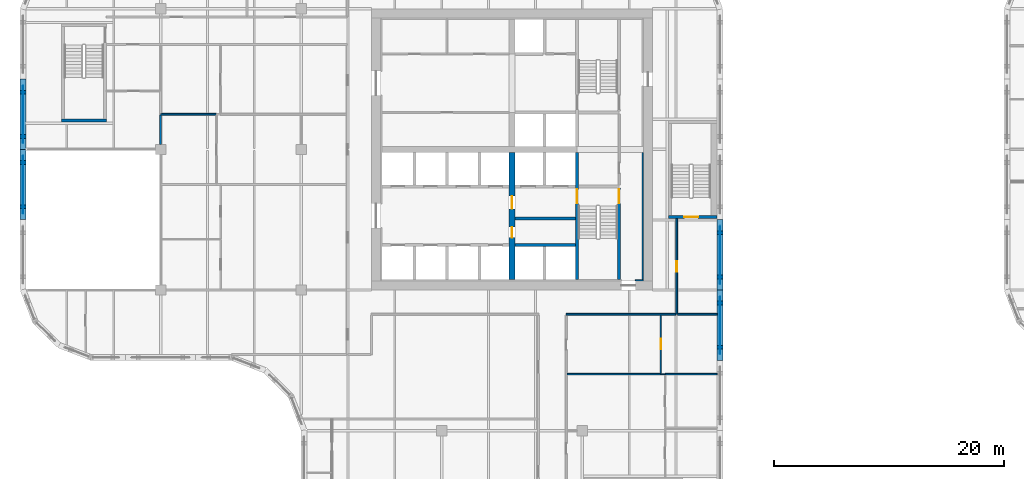
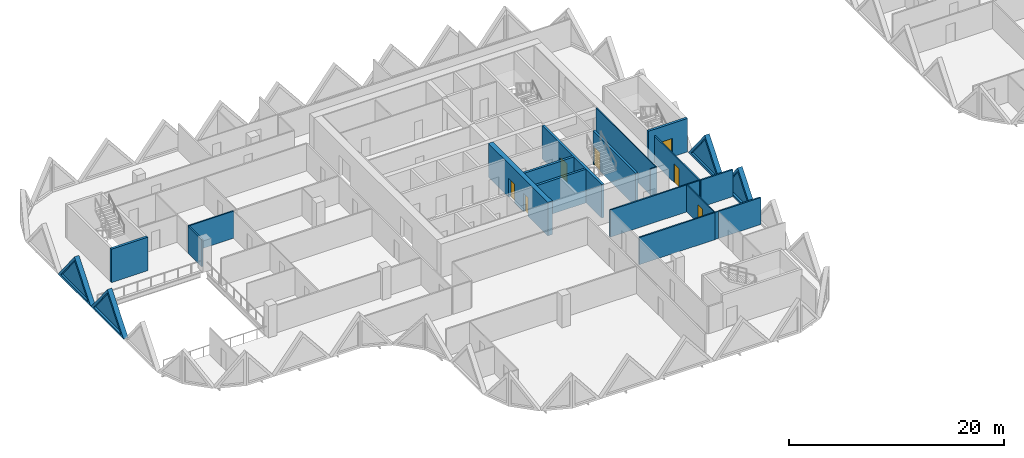
# One storey, part 7 of 19: 22 walls, 7 doors, 4 plates, 11 openings.
"""IFC4 building model written with IfcOpenShell, lengths in metres."""

import ifcopenshell
import ifcopenshell.guid

model = None  # the IFC model being written
_history = None  # IfcOwnerHistory: only IFC2X3 demands one
_inside = {}  # id of a spatial element -> (the spatial element, [elements in it])
_under = {}  # id of a project, library or spatial element -> (it, [spatial elements below it])
_declared = {}  # id of a project -> (the project, [libraries it declares])
_typed = {}  # id of a type object -> (the type object, [elements of that type])
_made_of = {}  # id of a material, layer set ... -> (it, [elements and type objects made of it])


def new_model(schema):
    """Start an empty IFC model of exactly this schema.

    Asked for "IFC4X3", IfcOpenShell would pick the latest addendum, in which some entities
    have other attributes; the version numbers below select the first issue.
    IFC2X3 requires an IfcOwnerHistory on every rooted entity: one is made here for all.
    """
    global model, _history
    if schema == "IFC4X3":
        model = ifcopenshell.file(schema_version=(4, 3, 0, 0))
    else:
        model = ifcopenshell.file(schema=schema)
    _inside.clear()
    _under.clear()
    _declared.clear()
    _typed.clear()
    _made_of.clear()
    _history = None
    if model.schema == "IFC2X3":
        org = make("IfcOrganization", Name="unknown")
        user = make(
            "IfcPersonAndOrganization",
            ThePerson=make("IfcPerson", FamilyName="unknown"),
            TheOrganization=org,
        )
        app = make(
            "IfcApplication",
            ApplicationDeveloper=org,
            Version="unknown",
            ApplicationFullName="unknown",
            ApplicationIdentifier="unknown",
        )
        _history = make(
            "IfcOwnerHistory",
            OwningUser=user,
            OwningApplication=app,
            ChangeAction="ADDED",
            CreationDate=0,
        )
    return model


def make(cls, **values):
    """One entity of the class cls with the attributes given. An attribute that is None is left unset."""
    return model.create_entity(
        cls, **{name: value for name, value in values.items() if value is not None}
    )


def rooted(cls, **values):
    """An entity with a GlobalId (a new one), such as an element, a storey or a relation."""
    return make(cls, GlobalId=ifcopenshell.guid.new(), OwnerHistory=_history, **values)


def si_unit(unit_type, name, prefix=None):
    """IfcSIUnit, for example si_unit("LENGTHUNIT", "METRE", prefix="MILLI")."""
    return make("IfcSIUnit", UnitType=unit_type, Prefix=prefix, Name=name)


def assignment(units):
    """IfcUnitAssignment: the units of a project."""
    return None if units is None else make("IfcUnitAssignment", Units=units)


def point(xyz):
    """IfcCartesianPoint."""
    return None if xyz is None else make("IfcCartesianPoint", Coordinates=xyz)


def direction(xyz):
    """IfcDirection."""
    return None if xyz is None else make("IfcDirection", DirectionRatios=xyz)


def frame(location, z_axis=None, x_axis=None):
    """IfcAxis2Placement3D, a coordinate frame: its origin and axes. An axis left out is left unset."""
    return make(
        "IfcAxis2Placement3D",
        Location=point(location),
        Axis=direction(z_axis),
        RefDirection=direction(x_axis),
    )


def frame_2d(location, x_axis=None):
    """IfcAxis2Placement2D, a coordinate frame in the plane: its origin and x axis."""
    return make(
        "IfcAxis2Placement2D", Location=point(location), RefDirection=direction(x_axis)
    )


def origin():
    """The frame at (0, 0, 0) with its axes left unset."""
    return frame((0.0, 0.0, 0.0))


def place(relative_to, where):
    """IfcLocalPlacement: puts the frame where relative to a parent placement (None: the world)."""
    return make(
        "IfcLocalPlacement", PlacementRelTo=relative_to, RelativePlacement=where
    )


def context(
    kind, dimensions, precision=None, world=None, true_north=None, identifier=None
):
    """IfcGeometricRepresentationContext, for example the 3D "Model" context."""
    return make(
        "IfcGeometricRepresentationContext",
        ContextIdentifier=identifier,
        ContextType=kind,
        CoordinateSpaceDimension=dimensions,
        Precision=precision,
        WorldCoordinateSystem=world,
        TrueNorth=true_north,
    )


def subcontext(parent, identifier, kind, view, scale=None):
    """IfcGeometricRepresentationSubContext, for example "Body" below "Model"."""
    return make(
        "IfcGeometricRepresentationSubContext",
        ContextIdentifier=identifier,
        ContextType=kind,
        ParentContext=parent,
        TargetScale=scale,
        TargetView=view,
    )


def project(units=None, contexts=None):
    """IfcProject with its units and contexts."""
    return rooted(
        "IfcProject",
        Name="project",
        RepresentationContexts=contexts,
        UnitsInContext=assignment(units),
    )


def spatial(cls, under=None, at=None, **own):
    """A site, building, storey or space (cls), placed at a placement, below another one or the project."""
    s = rooted(cls, ObjectPlacement=at, **own)
    if under is not None:
        _under.setdefault(under.id(), (under, []))[1].append(s)
    return s


def polyline(points):
    """IfcPolyline through the points."""
    return make("IfcPolyline", Points=[point(p) for p in points])


def profile(cls, at=None, kind="AREA", **sizes):
    """A parametric profile (cls). Its sizes go by their IFC names, for example OverallWidth=200.0."""
    return make(cls, ProfileType=kind, Position=at, **sizes)


def rectangle(**sizes):
    """IfcRectangleProfileDef."""
    return profile("IfcRectangleProfileDef", **sizes)


def outline(outer, holes=None, kind="AREA"):
    """IfcArbitraryClosedProfileDef: a profile drawn as a closed curve; with holes, ...WithVoids."""
    if holes is None:
        return make("IfcArbitraryClosedProfileDef", ProfileType=kind, OuterCurve=outer)
    return make(
        "IfcArbitraryProfileDefWithVoids",
        ProfileType=kind,
        OuterCurve=outer,
        InnerCurves=holes,
    )


def extrude(swept, where, along, depth):
    """IfcExtrudedAreaSolid: the profile swept, set in the frame where, extruded along a direction by depth."""
    return make(
        "IfcExtrudedAreaSolid",
        SweptArea=swept,
        Position=where,
        ExtrudedDirection=direction(along),
        Depth=depth,
    )


def faces_of(points, faces, orient=None, outer=None):
    """IfcFace entities. A face is a list of loops; a loop is a list of indices into points, from 0.

    orient and outer hold one flag for each loop. By default every Orientation is true, the
    first loop of a face is its IfcFaceOuterBound and the others are IfcFaceBound.
    """
    made = []
    for i, loops in enumerate(faces):
        bounds = []
        for j, loop in enumerate(loops):
            is_outer = j == 0 if outer is None else outer[i][j]
            bounds.append(
                make(
                    "IfcFaceOuterBound" if is_outer else "IfcFaceBound",
                    Bound=make("IfcPolyLoop", Polygon=[points[k] for k in loop]),
                    Orientation=True if orient is None else orient[i][j],
                )
            )
        made.append(make("IfcFace", Bounds=bounds))
    return made


def faceted_brep(points, faces, orient=None, outer=None, voids=None):
    """IfcFacetedBrep: a solid bounded by flat faces; with voids (closed shells), ...WithVoids."""
    shared = [point(p) for p in points]
    hull = make("IfcClosedShell", CfsFaces=faces_of(shared, faces, orient, outer))
    if voids is None:
        return make("IfcFacetedBrep", Outer=hull)
    return make(
        "IfcFacetedBrepWithVoids",
        Outer=hull,
        Voids=[
            make(cls, CfsFaces=faces_of(shared, fs, o, b)) for cls, fs, o, b in voids
        ],
    )


def shape(context_of_items, identifier, shape_type, items):
    """IfcShapeRepresentation: the items that make up one representation, for example the "Body"."""
    return make(
        "IfcShapeRepresentation",
        ContextOfItems=context_of_items,
        RepresentationIdentifier=identifier,
        RepresentationType=shape_type,
        Items=items,
    )


def source(mapping_origin, context_of_items, identifier, shape_type, items):
    """IfcRepresentationMap: a shape defined once, which mapped items show again and again."""
    return make(
        "IfcRepresentationMap",
        MappingOrigin=mapping_origin,
        MappedRepresentation=shape(context_of_items, identifier, shape_type, items),
    )


def transform(
    local_origin,
    x_axis=None,
    y_axis=None,
    z_axis=None,
    scale=None,
    scale2=None,
    scale3=None,
    uniform=True,
):
    """IfcCartesianTransformationOperator3D, or its non-uniform kind. x_axis, y_axis, z_axis: its Axis1, 2, 3."""
    if uniform:
        return make(
            "IfcCartesianTransformationOperator3D",
            Axis1=direction(x_axis),
            Axis2=direction(y_axis),
            LocalOrigin=point(local_origin),
            Scale=scale,
            Axis3=direction(z_axis),
        )
    return make(
        "IfcCartesianTransformationOperator3DnonUniform",
        Axis1=direction(x_axis),
        Axis2=direction(y_axis),
        LocalOrigin=point(local_origin),
        Scale=scale,
        Axis3=direction(z_axis),
        Scale2=scale2,
        Scale3=scale3,
    )


def mapped(mapping_source, mapping_target):
    """IfcMappedItem: shows the shape of a source again, moved by a transform."""
    return make(
        "IfcMappedItem", MappingSource=mapping_source, MappingTarget=mapping_target
    )


def material(Name=None, Category=None):
    """IfcMaterial."""
    return make("IfcMaterial", Name=Name, Category=Category)


def layer(
    of_material, thickness, ventilated=None, Name=None, Category=None, Priority=None
):
    """IfcMaterialLayer: one layer of a wall or slab, of a material (None: an air gap)."""
    return make(
        "IfcMaterialLayer",
        Material=of_material,
        LayerThickness=thickness,
        IsVentilated=ventilated,
        Name=Name,
        Category=Category,
        Priority=Priority,
    )


def layer_set(layers, Name=None):
    """IfcMaterialLayerSet."""
    return make("IfcMaterialLayerSet", MaterialLayers=layers, LayerSetName=Name)


def made_of(thing, what):
    """Note that an element or type object is made of a material, layer set ...; save() writes the relation."""
    if what is not None:
        _made_of.setdefault(what.id(), (what, []))[1].append(thing)
    return thing


def type_object(cls, material=None, **own):
    """A type object (cls), such as IfcWallType, which elements share."""
    return made_of(rooted(cls, **own), material)


def element(
    cls,
    number,
    at=None,
    inside=None,
    cuts=None,
    type_object=None,
    material=None,
    context=None,
    identifier="Body",
    shape_type=None,
    held_by="IfcProductDefinitionShape",
    body=None,
    shapes=None,
    **own,
):
    """One element of the class cls, such as IfcWall. Its Tag is "e" and its number.

    at: its placement. inside: the storey or other place that contains it. cuts: it is an
    opening in that element (IfcRelVoidsElement). A single representation is given by context,
    identifier, shape_type and body (its items); several are given by shapes. held_by: the class
    of the entity that holds the representations. save() writes the other relations.
    """
    e = rooted(cls, Tag="e%d" % number, ObjectPlacement=at, **own)
    if body is not None:
        shapes = [shape(context, identifier, shape_type, body)]
    if shapes is not None:
        e.Representation = make(held_by, Representations=shapes)
    if inside is not None:
        _inside.setdefault(inside.id(), (inside, []))[1].append(e)
    if cuts is not None:
        rooted(
            "IfcRelVoidsElement", RelatingBuildingElement=cuts, RelatedOpeningElement=e
        )
    if type_object is not None:
        _typed.setdefault(type_object.id(), (type_object, []))[1].append(e)
    return made_of(e, material)


def fill(opening, filler):
    """IfcRelFillsElement: the door or window that sits in an opening."""
    return rooted(
        "IfcRelFillsElement",
        RelatingOpeningElement=opening,
        RelatedBuildingElement=filler,
    )


def aggregate(whole, parts):
    """IfcRelAggregates: a whole, such as a stair, and the parts it consists of."""
    return rooted("IfcRelAggregates", RelatingObject=whole, RelatedObjects=parts)


def save(model, path):
    """Write the relations noted so far, then the file.

    IfcRelAggregates (storeys below a building ...), IfcRelContainedInSpatialStructure (elements
    in a storey), IfcRelDefinesByType, IfcRelAssociatesMaterial and IfcRelDeclares: one each for
    every whole, place, type object, material and project.
    """
    for whole, parts in _under.values():
        aggregate(whole, parts)
    for where, things in _inside.values():
        rooted(
            "IfcRelContainedInSpatialStructure",
            RelatedElements=things,
            RelatingStructure=where,
        )
    for kind, things in _typed.values():
        rooted("IfcRelDefinesByType", RelatedObjects=things, RelatingType=kind)
    for what, things in _made_of.values():
        rooted("IfcRelAssociatesMaterial", RelatedObjects=things, RelatingMaterial=what)
    for by, libraries in _declared.values():
        rooted("IfcRelDeclares", RelatingContext=by, RelatedDefinitions=libraries)
    model.write(path)


model = new_model("IFC4")

# Units and contexts
model_context = context("Model", 3, precision=1e-05, world=origin(), true_north=direction((0.0, 1.0)))
body_context = subcontext(model_context, "Body", "Model", "MODEL_VIEW")
ifc_project = project(units=[si_unit("LENGTHUNIT", "METRE"), si_unit("AREAUNIT", "SQUARE_METRE"), si_unit("VOLUMEUNIT", "CUBIC_METRE"), si_unit("PLANEANGLEUNIT", "RADIAN"), si_unit("MASSUNIT", "GRAM", prefix="KILO")], contexts=[model_context])

# Site, building, storey
site_placement = place(None, origin())
site = spatial("IfcSite", under=ifc_project, at=site_placement, CompositionType="ELEMENT")
building_placement = place(site_placement, origin())
building = spatial("IfcBuilding", under=site, at=building_placement, Name="Tessera Gate Towers", CompositionType="ELEMENT")
storey_placement = place(building_placement, frame((0.0, 0.0, 68.60009765625)))
storey = spatial("IfcBuildingStorey", under=building, at=storey_placement, Name="L16", CompositionType="ELEMENT", Elevation=68.60009765625)

# Wall, opening, door
ifc_material_1 = material(Name="Concrete C40/50", Category="concrete")
ifc_layer_1 = layer(ifc_material_1, 0.25)
ifc_layer_set_1 = layer_set([ifc_layer_1], Name="CORE ENCLOSURE WALL 250")
wall_type_1 = type_object("IfcWallType", Name="CORE ENCLOSURE WALL 250", PredefinedType="SOLIDWALL", material=ifc_layer_set_1)
wall_1_placement = place(storey_placement, frame((48.35009765625, 36.35009765625, 0.0), z_axis=(0.0, 0.0, 1.0), x_axis=(0.0, -1.0, 0.0)))
wall_1 = element("IfcWall", 1, at=wall_1_placement, inside=storey, type_object=wall_type_1, Name="L16 shaft and stair enclosure wall", PredefinedType="SOLIDWALL", context=body_context, shape_type="SweptSolid", body=[
    extrude(rectangle(XDim=11.050048828125, YDim=0.25, at=frame_2d((5.52490234375, 0.0))), origin(), (0.0, 0.0, 1.0), 3.7998046875),
])
shared_shape_1 = source(origin(), body_context, "Body", "SweptSolid", [
    extrude(rectangle(XDim=1.199951171875, YDim=2.10009765625, at=frame_2d((0.60009765625, 1.050048828125))), frame((0.0, 0.135009765625, 0.0), z_axis=(0.0, -1.0, 0.0), x_axis=(1.0, 0.0, 0.0)), (0.0, 0.0, 1.0), 0.27001953125),
])
opening_1_placement = place(wall_1_placement, frame((3.22509765625, 0.0, 0.0)))
opening_1 = element("IfcOpeningElement", 2, at=opening_1_placement, cuts=wall_1, Name="Opening SD-ST1-1", PredefinedType="OPENING", context=body_context, shape_type="MappedRepresentation", body=[
    mapped(shared_shape_1, transform((0.0, 0.0, 0.0), scale=1.0)),
])
ifc_material_2 = material(Name="Hollow steel fire door", Category="steel")
door_type_1 = type_object("IfcDoorType", Name="CORE DOOR SD 1200x2100", OperationType="NOTDEFINED", PredefinedType="DOOR", material=ifc_material_2)
shared_shape_2 = source(origin(), body_context, "Body", "SweptSolid", [
    extrude(rectangle(XDim=1.199951171875, YDim=2.10009765625, at=frame_2d((0.60009765625, 1.050048828125))), frame((0.0, 0.02490234375, 0.0), z_axis=(0.0, -1.0, 0.0), x_axis=(1.0, 0.0, 0.0)), (0.0, 0.0, 1.0), 0.050048828125),
])
door_1_placement = place(opening_1_placement, origin())
door_1 = element("IfcDoor", 3, at=door_1_placement, inside=storey, type_object=door_type_1, Name="Stair door", OperationType="SINGLE_SWING_LEFT", OverallHeight=2.10009765625, OverallWidth=1.199951171875, PredefinedType="DOOR", context=body_context, shape_type="MappedRepresentation", body=[
    mapped(shared_shape_2, transform((0.0, 0.0, 0.0), scale=1.0)),
])
fill(opening_1, door_1)

# Wall
wall_2_placement = place(storey_placement, frame((42.949951171875, 28.300048828125, 0.0), z_axis=(0.0, 0.0, 1.0), x_axis=(1.0, 0.0, 0.0)))
element("IfcWall", 4, at=wall_2_placement, inside=storey, type_object=wall_type_1, Name="L16 shaft and stair enclosure wall", PredefinedType="SOLIDWALL", context=body_context, shape_type="SweptSolid", body=[
    extrude(rectangle(XDim=5.275146484375, YDim=0.25, at=frame_2d((2.6376953125, 0.0))), origin(), (0.0, 0.0, 1.0), 3.7998046875),
])

# Wall, opening, door
wall_3_placement = place(storey_placement, frame((52.0, 25.300048828125, 0.0), z_axis=(0.0, 0.0, 1.0), x_axis=(0.0, 1.0, 0.0)))
wall_3 = element("IfcWall", 5, at=wall_3_placement, inside=storey, type_object=wall_type_1, Name="L16 shaft and stair enclosure wall", PredefinedType="SOLIDWALL", context=body_context, shape_type="SweptSolid", body=[
    extrude(rectangle(XDim=7.974853515625, YDim=0.25, at=frame_2d((3.9873046875, 0.0))), origin(), (0.0, 0.0, 1.0), 3.7998046875),
])
opening_2_placement = place(wall_3_placement, frame((6.625, 0.0, 0.0)))
opening_2 = element("IfcOpeningElement", 6, at=opening_2_placement, cuts=wall_3, Name="Opening SD-ST1-2", PredefinedType="OPENING", context=body_context, shape_type="MappedRepresentation", body=[
    mapped(shared_shape_1, transform((0.0, 0.0, 0.0), scale=1.0)),
])
door_2_placement = place(opening_2_placement, origin())
door_2 = element("IfcDoor", 7, at=door_2_placement, inside=storey, type_object=door_type_1, Name="Stair door", OperationType="SINGLE_SWING_RIGHT", OverallHeight=2.10009765625, OverallWidth=1.199951171875, PredefinedType="DOOR", context=body_context, shape_type="MappedRepresentation", body=[
    mapped(shared_shape_2, transform((0.0, 0.0, 0.0), scale=1.0)),
])
fill(opening_2, door_2)

# Walls
wall_4_placement = place(storey_placement, frame((42.949951171875, 30.60009765625, 0.0), z_axis=(0.0, 0.0, 1.0), x_axis=(1.0, 0.0, 0.0)))
element("IfcWall", 8, at=wall_4_placement, inside=storey, type_object=wall_type_1, Name="L16 shaft and stair enclosure wall", PredefinedType="SOLIDWALL", context=body_context, shape_type="SweptSolid", body=[
    extrude(rectangle(XDim=5.275146484375, YDim=0.25, at=frame_2d((2.6376953125, 0.0))), origin(), (0.0, 0.0, 1.0), 3.7998046875),
])
wall_5_placement = place(storey_placement, frame((7.5, 39.125, 0.0), z_axis=(0.0, 0.0, 1.0), x_axis=(-1.0, 0.0, 0.0)))
element("IfcWall", 9, at=wall_5_placement, inside=storey, type_object=wall_type_1, Name="L16 ST3 enclosure wall", PredefinedType="SOLIDWALL", context=body_context, shape_type="SweptSolid", body=[
    extrude(rectangle(XDim=3.89990234375, YDim=0.25, at=frame_2d((1.949951171875, 0.0))), origin(), (0.0, 0.0, 1.0), 3.7998046875),
])

# Wall, opening, door
wall_6_placement = place(storey_placement, frame((60.5, 30.72509765625, 0.0), z_axis=(0.0, 0.0, 1.0), x_axis=(-1.0, 0.0, 0.0)))
wall_6 = element("IfcWall", 10, at=wall_6_placement, inside=storey, type_object=wall_type_1, Name="L16 ST5 enclosure wall", PredefinedType="SOLIDWALL", context=body_context, shape_type="SweptSolid", body=[
    extrude(rectangle(XDim=4.199951171875, YDim=0.25, at=frame_2d((2.10009765625, 0.0))), origin(), (0.0, 0.0, 1.0), 3.7998046875),
])
opening_3_placement = place(wall_6_placement, frame((1.64990234375, 0.0, 0.0)))
opening_3 = element("IfcOpeningElement", 11, at=opening_3_placement, cuts=wall_6, Name="Opening SD-ST5-1", PredefinedType="OPENING", context=body_context, shape_type="MappedRepresentation", body=[
    mapped(shared_shape_1, transform((0.0, 0.0, 0.0), scale=1.0)),
])
door_3_placement = place(opening_3_placement, origin())
door_3 = element("IfcDoor", 12, at=door_3_placement, inside=storey, type_object=door_type_1, Name="Stair door", OperationType="SINGLE_SWING_RIGHT", OverallHeight=2.10009765625, OverallWidth=1.199951171875, PredefinedType="DOOR", context=body_context, shape_type="MappedRepresentation", body=[
    mapped(shared_shape_2, transform((0.0, 0.0, 0.0), scale=1.0)),
])
fill(opening_3, door_3)

# Wall, openings, doors
ifc_material_3 = material(Name="Concrete C60/75", Category="concrete")
ifc_layer_2 = layer(ifc_material_3, 0.5)
ifc_layer_set_2 = layer_set([ifc_layer_2], Name="CORE SPINE WALL 500 C60/75")
wall_type_2 = type_object("IfcWallType", Name="CORE SPINE WALL 500 C60/75", PredefinedType="SHEAR", material=ifc_layer_set_2)
wall_7_placement = place(storey_placement, frame((42.699951171875, 36.35009765625, 0.0), z_axis=(0.0, 0.0, 1.0), x_axis=(0.0, -1.0, 0.0)))
wall_7 = element("IfcWall", 13, at=wall_7_placement, inside=storey, type_object=wall_type_2, Name="Core wall spine L16", PredefinedType="SHEAR", context=body_context, shape_type="SweptSolid", body=[
    extrude(rectangle(XDim=11.050048828125, YDim=0.5, at=frame_2d((5.52490234375, 0.0))), origin(), (0.0, 0.0, 1.0), 3.7998046875),
])
shared_shape_3 = source(origin(), body_context, "Body", "SweptSolid", [
    extrude(rectangle(XDim=0.89990234375, YDim=2.10009765625, at=frame_2d((0.449951171875, 1.050048828125))), frame((0.0, 0.260009765625, 0.0), z_axis=(0.0, -1.0, 0.0), x_axis=(1.0, 0.0, 0.0)), (0.0, 0.0, 1.0), 0.52001953125),
])
opening_4_placement = place(wall_7_placement, frame((6.5, 0.0, 0.0)))
opening_4 = element("IfcOpeningElement", 14, at=opening_4_placement, cuts=wall_7, Name="Opening RD-T1-12-05", PredefinedType="OPENING", context=body_context, shape_type="MappedRepresentation", body=[
    mapped(shared_shape_3, transform((0.0, 0.0, 0.0), scale=1.0)),
])
shared_shape_4 = source(origin(), body_context, "Body", "SweptSolid", [
    extrude(rectangle(XDim=1.10009765625, YDim=2.10009765625, at=frame_2d((0.550048828125, 1.050048828125))), frame((0.0, 0.260009765625, 0.0), z_axis=(0.0, -1.0, 0.0), x_axis=(1.0, 0.0, 0.0)), (0.0, 0.0, 1.0), 0.52001953125),
])
opening_5_placement = place(wall_7_placement, frame((3.800048828125, 0.0, 0.0)))
opening_5 = element("IfcOpeningElement", 15, at=opening_5_placement, cuts=wall_7, Name="Opening FD-T1-12-06", PredefinedType="OPENING", context=body_context, shape_type="MappedRepresentation", body=[
    mapped(shared_shape_4, transform((0.0, 0.0, 0.0), scale=1.0)),
])
ifc_material_4 = material(Name="Hollow steel fire door", Category="steel")
door_type_2 = type_object("IfcDoorType", Name="CORE DOOR RD 900x2100", OperationType="NOTDEFINED", PredefinedType="DOOR", material=ifc_material_4)
shared_shape_5 = source(origin(), body_context, "Body", "SweptSolid", [
    extrude(rectangle(XDim=0.89990234375, YDim=2.10009765625, at=frame_2d((0.449951171875, 1.050048828125))), frame((0.0, 0.02490234375, 0.0), z_axis=(0.0, -1.0, 0.0), x_axis=(1.0, 0.0, 0.0)), (0.0, 0.0, 1.0), 0.050048828125),
])
door_4_placement = place(opening_4_placement, origin())
door_4 = element("IfcDoor", 16, at=door_4_placement, inside=storey, type_object=door_type_2, Name="Core room door", OperationType="SINGLE_SWING_RIGHT", OverallHeight=2.10009765625, OverallWidth=0.89990234375, PredefinedType="DOOR", context=body_context, shape_type="MappedRepresentation", body=[
    mapped(shared_shape_5, transform((0.0, 0.0, 0.0), scale=1.0)),
])
fill(opening_4, door_4)
ifc_material_5 = material(Name="Hollow steel fire door", Category="steel")
door_type_3 = type_object("IfcDoorType", Name="CORE DOOR FD 1100x2100", OperationType="NOTDEFINED", PredefinedType="DOOR", material=ifc_material_5)
shared_shape_6 = source(origin(), body_context, "Body", "SweptSolid", [
    extrude(rectangle(XDim=1.10009765625, YDim=2.10009765625, at=frame_2d((0.550048828125, 1.050048828125))), frame((0.0, 0.02490234375, 0.0), z_axis=(0.0, -1.0, 0.0), x_axis=(1.0, 0.0, 0.0)), (0.0, 0.0, 1.0), 0.050048828125),
])
door_5_placement = place(opening_5_placement, origin())
door_5 = element("IfcDoor", 17, at=door_5_placement, inside=storey, type_object=door_type_3, Name="Fire-fighting lobby door", OperationType="SINGLE_SWING_LEFT", OverallHeight=2.10009765625, OverallWidth=1.10009765625, PredefinedType="DOOR", context=body_context, shape_type="MappedRepresentation", body=[
    mapped(shared_shape_6, transform((0.0, 0.0, 0.0), scale=1.0)),
])
fill(opening_5, door_5)

# Walls
ifc_material_6 = material(Name="Concrete C60/75", Category="concrete")
ifc_layer_3 = layer(ifc_material_6, 0.10009765625)
ifc_layer_set_3 = layer_set([ifc_layer_3], Name="CORE WALL THICKENING 100")
wall_type_3 = type_object("IfcWallType", Name="CORE WALL THICKENING 100", PredefinedType="SOLIDWALL", material=ifc_layer_set_3)
wall_8_placement = place(storey_placement, frame((53.39990234375, 25.25, 0.0), z_axis=(0.0, 0.0, 1.0), x_axis=(1.0, 0.0, 0.0)))
element("IfcWall", 18, at=wall_8_placement, inside=storey, type_object=wall_type_3, Name="Core wall thickening S L16", PredefinedType="SOLIDWALL", context=body_context, shape_type="SweptSolid", body=[
    extrude(rectangle(XDim=0.7001953125, YDim=0.10009765625, at=frame_2d((0.35009765625, 0.0))), origin(), (0.0, 0.0, 1.0), 3.7998046875),
])
wall_9_placement = place(storey_placement, frame((54.050048828125, 25.300048828125, 0.0), z_axis=(0.0, 0.0, 1.0), x_axis=(0.0, 1.0, 0.0)))
element("IfcWall", 19, at=wall_9_placement, inside=storey, type_object=wall_type_3, Name="Core wall thickening E L16", PredefinedType="SOLIDWALL", context=body_context, shape_type="SweptSolid", body=[
    extrude(rectangle(XDim=11.02001953125, YDim=0.10009765625, at=frame_2d((5.510009765625, 0.0))), origin(), (0.0, 0.0, 1.0), 3.7998046875),
])
ifc_material_7 = material(Name="Gypsum board on steel studs, mineral wool", Category="steel")
ifc_layer_4 = layer(ifc_material_7, 0.14990234375)
ifc_layer_set_4 = layer_set([ifc_layer_4], Name="CORRIDOR WALL 150")
wall_type_4 = type_object("IfcWallType", Name="CORRIDOR WALL 150", PredefinedType="PARTITIONING", material=ifc_layer_set_4)
wall_10_placement = place(storey_placement, frame((47.39990234375, 22.300048828125, 0.0), z_axis=(0.0, 0.0, 1.0), x_axis=(1.0, 0.0, 0.0)))
element("IfcWall", 20, at=wall_10_placement, inside=storey, type_object=wall_type_4, Name="T1-L16-PW-023", PredefinedType="PARTITIONING", context=body_context, shape_type="SweptSolid", body=[
    extrude(rectangle(XDim=9.524169921875, YDim=0.14990234375, at=frame_2d((4.76220703125, 0.0))), origin(), (0.0, 0.0, 1.0), 3.06689453125),
])

# Wall, opening, door
wall_11_placement = place(storey_placement, frame((57.0, 30.60009765625, 0.0), z_axis=(0.0, 0.0, 1.0), x_axis=(0.0, -1.0, 0.0)))
wall_11 = element("IfcWall", 21, at=wall_11_placement, inside=storey, type_object=wall_type_4, Name="T1-L16-PW-024", PredefinedType="PARTITIONING", context=body_context, shape_type="SweptSolid", body=[
    extrude(rectangle(XDim=8.300048828125, YDim=0.14990234375, at=frame_2d((4.14990234375, 0.0))), origin(), (0.0, 0.0, 1.0), 3.06689453125),
])
shared_shape_7 = source(origin(), body_context, "Body", "SweptSolid", [
    extrude(rectangle(XDim=0.89990234375, YDim=2.10009765625, at=frame_2d((0.449951171875, 1.050048828125))), frame((0.0, 0.0849609375, 0.0), z_axis=(0.0, -1.0, 0.0), x_axis=(1.0, 0.0, 0.0)), (0.0, 0.0, 1.0), 0.169921875),
])
opening_6_placement = place(wall_11_placement, frame((3.699951171875, 0.0, 0.0)))
opening_6 = element("IfcOpeningElement", 22, at=opening_6_placement, cuts=wall_11, Name="Opening D890FD60-A06-05", PredefinedType="OPENING", context=body_context, shape_type="MappedRepresentation", body=[
    mapped(shared_shape_7, transform((0.0, 0.0, 0.0), scale=1.0)),
])
ifc_material_8 = material(Name="Timber door leaf in steel frame", Category="steel")
door_type_4 = type_object("IfcDoorType", Name="CORRIDOR DOOR 900 FD60", OperationType="NOTDEFINED", PredefinedType="DOOR", material=ifc_material_8)
door_6_placement = place(opening_6_placement, origin())
door_6 = element("IfcDoor", 23, at=door_6_placement, inside=storey, type_object=door_type_4, Name="T1-L16-PD-019", OperationType="SINGLE_SWING_RIGHT", OverallHeight=2.10009765625, OverallWidth=0.89990234375, PredefinedType="DOOR", context=body_context, shape_type="MappedRepresentation", body=[
    mapped(shared_shape_5, transform((0.0, 0.0, 0.0), scale=1.0)),
])
fill(opening_6, door_6)

# Wall
ifc_material_9 = material(Name="Glass", Category="glass")
ifc_layer_5 = layer(ifc_material_9, 0.10009765625)
ifc_layer_set_5 = layer_set([ifc_layer_5], Name="GLAZED PARTITION 100")
wall_type_5 = type_object("IfcWallType", Name="GLAZED PARTITION 100", PredefinedType="PARTITIONING", material=ifc_layer_set_5)
wall_12_placement = place(storey_placement, frame((55.615966796875, 17.10009765625, 0.0), z_axis=(0.0, 0.0, 1.0), x_axis=(1.0, 0.0, 0.0)))
element("IfcWall", 24, at=wall_12_placement, inside=storey, type_object=wall_type_5, Name="T1-L16-PW-014", PredefinedType="PARTITIONING", context=body_context, shape_type="SweptSolid", body=[
    extrude(rectangle(XDim=0.373046875, YDim=0.10009765625, at=frame_2d((0.1865234375, 0.0))), origin(), (0.0, 0.0, 1.0), 3.06689453125),
])

# Wall, opening, door
wall_13_placement = place(storey_placement, frame((55.614990234375, 22.22412109375, 0.0), z_axis=(0.0, 0.0, 1.0), x_axis=(0.0, -1.0, 0.0)))
wall_13 = element("IfcWall", 25, at=wall_13_placement, inside=storey, type_object=wall_type_5, Name="T1-L16-PW-016", PredefinedType="PARTITIONING", context=body_context, shape_type="SweptSolid", body=[
    extrude(rectangle(XDim=5.048095703125, YDim=0.10009765625, at=frame_2d((2.52392578125, 0.0))), origin(), (0.0, 0.0, 1.0), 3.06689453125),
])
shared_shape_8 = source(origin(), body_context, "Body", "SweptSolid", [
    extrude(rectangle(XDim=0.89990234375, YDim=2.10009765625, at=frame_2d((0.449951171875, 1.050048828125))), frame((0.0, 0.06005859375, 0.0), z_axis=(0.0, -1.0, 0.0), x_axis=(1.0, 0.0, 0.0)), (0.0, 0.0, 1.0), 0.1201171875),
])
opening_7_placement = place(wall_13_placement, frame((2.048095703125, 0.0, 0.0)))
opening_7 = element("IfcOpeningElement", 26, at=opening_7_placement, cuts=wall_13, Name="Opening D690-A06-04", PredefinedType="OPENING", context=body_context, shape_type="MappedRepresentation", body=[
    mapped(shared_shape_8, transform((0.0, 0.0, 0.0), scale=1.0)),
])
ifc_material_10 = material(Name="Glass in aluminium frame", Category="aluminium")
door_type_5 = type_object("IfcDoorType", Name="GLAZED DOOR 900 NOT RATED", OperationType="NOTDEFINED", PredefinedType="DOOR", material=ifc_material_10)
door_7_placement = place(opening_7_placement, origin())
door_7 = element("IfcDoor", 27, at=door_7_placement, inside=storey, type_object=door_type_5, Name="T1-L16-PD-011", OperationType="SINGLE_SWING_RIGHT", OverallHeight=2.10009765625, OverallWidth=0.89990234375, PredefinedType="DOOR", context=body_context, shape_type="MappedRepresentation", body=[
    mapped(shared_shape_5, transform((0.0, 0.0, 0.0), scale=1.0)),
])
fill(opening_7, door_7)

# Walls
ifc_material_11 = material(Name="Gypsum board on steel studs, mineral wool", Category="steel")
ifc_layer_6 = layer(ifc_material_11, 0.14990234375)
ifc_layer_set_6 = layer_set([ifc_layer_6], Name="TENANCY WALL 150")
wall_type_6 = type_object("IfcWallType", Name="TENANCY WALL 150", PredefinedType="PARTITIONING", material=ifc_layer_set_6)
wall_14_placement = place(storey_placement, frame((47.47607421875, 17.10009765625, 0.0), z_axis=(0.0, 0.0, 1.0), x_axis=(1.0, 0.0, 0.0)))
element("IfcWall", 28, at=wall_14_placement, inside=storey, type_object=wall_type_6, Name="T1-L16-PW-013", PredefinedType="PARTITIONING", context=body_context, shape_type="SweptSolid", body=[
    extrude(rectangle(XDim=8.138916015625, YDim=0.14990234375, at=frame_2d((4.0693359375, 0.0))), origin(), (0.0, 0.0, 1.0), 3.06689453125),
])
wall_15_placement = place(storey_placement, frame((55.989990234375, 17.10009765625, 0.0), z_axis=(0.0, 0.0, 1.0), x_axis=(1.0, 0.0, 0.0)))
element("IfcWall", 29, at=wall_15_placement, inside=storey, type_object=wall_type_6, Name="T1-L16-PW-015", PredefinedType="PARTITIONING", context=body_context, shape_type="SweptSolid", body=[
    extrude(rectangle(XDim=4.510009765625, YDim=0.14990234375, at=frame_2d((2.2548828125, 0.0))), origin(), (0.0, 0.0, 1.0), 3.06689453125),
])
wall_16_placement = place(storey_placement, frame((57.075927734375, 22.300048828125, 0.0), z_axis=(0.0, 0.0, 1.0), x_axis=(1.0, 0.0, 0.0)))
element("IfcWall", 30, at=wall_16_placement, inside=storey, type_object=wall_type_6, Name="T1-L16-PW-025", PredefinedType="PARTITIONING", context=body_context, shape_type="SweptSolid", body=[
    extrude(rectangle(XDim=3.424072265625, YDim=0.14990234375, at=frame_2d((1.7119140625, 0.0))), origin(), (0.0, 0.0, 1.0), 3.06689453125),
])
wall_17_placement = place(storey_placement, frame((12.199951171875, 37.051025390625, 0.0), z_axis=(0.0, 0.0, 1.0), x_axis=(0.0, 1.0, 0.0)))
element("IfcWall", 31, at=wall_17_placement, inside=storey, type_object=wall_type_6, Name="T1-L16-PW-033", PredefinedType="PARTITIONING", context=body_context, shape_type="SweptSolid", body=[
    extrude(rectangle(XDim=2.52294921875, YDim=0.14990234375, at=frame_2d((1.261474609375, 0.0))), origin(), (0.0, 0.0, 1.0), 3.06689453125),
])
wall_18_placement = place(storey_placement, frame((12.199951171875, 39.64990234375, 0.0), z_axis=(0.0, 0.0, 1.0), x_axis=(1.0, 0.0, 0.0)))
element("IfcWall", 32, at=wall_18_placement, inside=storey, type_object=wall_type_6, Name="T1-L16-PW-035", PredefinedType="PARTITIONING", context=body_context, shape_type="SweptSolid", body=[
    extrude(rectangle(XDim=4.85009765625, YDim=0.14990234375, at=frame_2d((2.425048828125, 0.0))), origin(), (0.0, 0.0, 1.0), 3.06689453125),
])

# Wall, opening, plate
ifc_material_12 = material(Name="Precast concrete C60/75 white", Category="concrete")
ifc_layer_7 = layer(ifc_material_12, 0.5)
ifc_layer_set_7 = layer_set([ifc_layer_7], Name="TS2 half tessera")
wall_type_7 = type_object("IfcWallType", Name="TS2 half tessera", PredefinedType="SOLIDWALL", material=ifc_layer_set_7)
shared_shape_9 = source(origin(), body_context, "Body", "Brep", [
    faceted_brep([(6.099853515625, -0.25, 0.000244140625), (3.050048828125, -0.25, 3.7998046875), (0.0, -0.25, 0.0), (6.099853515625, -0.25, 0.0), (0.0, 0.25, 0.0), (3.050048828125, 0.25, 3.7998046875), (6.099853515625, 0.25, 0.000244140625), (6.099853515625, 0.25, 0.0)], [[[0, 1, 2, 3]], [[4, 5, 6, 7]], [[6, 5, 1, 0]], [[5, 4, 2, 1]], [[4, 7, 3, 2]], [[3, 7, 6, 0]]]),
])
wall_19_placement = place(storey_placement, frame((60.75, 18.300048828125, 0.0), z_axis=(0.0, 0.0, 1.0), x_axis=(0.0, 1.0, 0.0)))
wall_19 = element("IfcWall", 33, at=wall_19_placement, inside=storey, type_object=wall_type_7, Name="Precast half tessera T1 TS2-0097", PredefinedType="SOLIDWALL", context=body_context, shape_type="MappedRepresentation", body=[
    mapped(shared_shape_9, transform((0.0, 0.0, 0.0), scale=1.0)),
])
shared_shape_10 = source(origin(), body_context, "Body", "SweptSolid", [
    extrude(outline(polyline([(5.578857421875, 0.25), (3.050048828125, 3.400390625), (0.521240234375, 0.25), (5.578857421875, 0.25)])), frame((0.0, 0.260009765625, 0.0), z_axis=(0.0, -1.0, 0.0), x_axis=(1.0, 0.0, 0.0)), (0.0, 0.0, 1.0), 0.52001953125),
])
opening_8_placement = place(wall_19_placement, origin())
opening_8 = element("IfcOpeningElement", 34, at=opening_8_placement, cuts=wall_19, Name="Opening T1-PL1-0199", PredefinedType="OPENING", context=body_context, shape_type="MappedRepresentation", body=[
    mapped(shared_shape_10, transform((0.0, 0.0, 0.0), scale=1.0)),
])
ifc_material_13 = material(Name="Low-e laminated glass", Category="glass")
ifc_layer_8 = layer(ifc_material_13, 0.06005859375)
ifc_layer_set_8 = layer_set([ifc_layer_8], Name="PL1 triangular pane")
plate_type = type_object("IfcPlateType", Name="PL1 triangular pane", PredefinedType="SHEET", material=ifc_layer_set_8)
shared_shape_11 = source(origin(), body_context, "Body", "SweptSolid", [
    extrude(outline(polyline([(5.578857421875, 0.25), (3.050048828125, 3.400390625), (0.521240234375, 0.25), (5.578857421875, 0.25)])), frame((0.0, 0.030029296875, 0.0), z_axis=(0.0, -1.0, 0.0), x_axis=(1.0, 0.0, 0.0)), (0.0, 0.0, 1.0), 0.06005859375),
])
plate_1_placement = place(opening_8_placement, origin())
plate_1 = element("IfcPlate", 35, at=plate_1_placement, inside=storey, type_object=plate_type, Name="Glass pane T1 PL1-0199", PredefinedType="SHEET", context=body_context, shape_type="MappedRepresentation", body=[
    mapped(shared_shape_11, transform((0.0, 0.0, 0.0), scale=1.0)),
])
fill(opening_8, plate_1)

wall_20_placement = place(storey_placement, frame((0.25, 42.699951171875, 0.0), z_axis=(0.0, 0.0, 1.0), x_axis=(0.0, -1.0, 0.0)))
wall_20 = element("IfcWall", 36, at=wall_20_placement, inside=storey, type_object=wall_type_7, Name="Precast half tessera T1 TS2-0110", PredefinedType="SOLIDWALL", context=body_context, shape_type="MappedRepresentation", body=[
    mapped(shared_shape_9, transform((0.0, 0.0, 0.0), scale=1.0)),
])
opening_9_placement = place(wall_20_placement, origin())
opening_9 = element("IfcOpeningElement", 37, at=opening_9_placement, cuts=wall_20, Name="Opening T1-PL1-0220", PredefinedType="OPENING", context=body_context, shape_type="MappedRepresentation", body=[
    mapped(shared_shape_10, transform((0.0, 0.0, 0.0), scale=1.0)),
])
plate_2_placement = place(opening_9_placement, origin())
plate_2 = element("IfcPlate", 38, at=plate_2_placement, inside=storey, type_object=plate_type, Name="Glass pane T1 PL1-0220", PredefinedType="SHEET", context=body_context, shape_type="MappedRepresentation", body=[
    mapped(shared_shape_11, transform((0.0, 0.0, 0.0), scale=1.0)),
])
fill(opening_9, plate_2)

shared_shape_12 = source(origin(), body_context, "Body", "SweptSolid", [
    extrude(outline(polyline([(6.10009765625, 0.0), (3.050048828125, 3.7998046875), (0.0, 0.0), (6.10009765625, 0.0)])), frame((0.0, 0.25, 0.0), z_axis=(0.0, -1.0, 0.0), x_axis=(1.0, 0.0, 0.0)), (0.0, 0.0, 1.0), 0.5),
])
wall_21_placement = place(storey_placement, frame((60.75, 24.39990234375, 0.0), z_axis=(0.0, 0.0, 1.0), x_axis=(0.0, 1.0, 0.0)))
wall_21 = element("IfcWall", 39, at=wall_21_placement, inside=storey, type_object=wall_type_7, Name="Precast half tessera T1 TS2-0098", PredefinedType="SOLIDWALL", context=body_context, shape_type="MappedRepresentation", body=[
    mapped(shared_shape_12, transform((0.0, 0.0, 0.0), scale=1.0)),
])
opening_10_placement = place(wall_21_placement, origin())
opening_10 = element("IfcOpeningElement", 40, at=opening_10_placement, cuts=wall_21, Name="Opening T1-PL1-0200", PredefinedType="OPENING", context=body_context, shape_type="MappedRepresentation", body=[
    mapped(shared_shape_10, transform((0.0, 0.0, 0.0), scale=1.0)),
])
plate_3_placement = place(opening_10_placement, origin())
plate_3 = element("IfcPlate", 41, at=plate_3_placement, inside=storey, type_object=plate_type, Name="Glass pane T1 PL1-0200", PredefinedType="SHEET", context=body_context, shape_type="MappedRepresentation", body=[
    mapped(shared_shape_11, transform((0.0, 0.0, 0.0), scale=1.0)),
])
fill(opening_10, plate_3)

wall_22_placement = place(storey_placement, frame((0.25, 36.60009765625, 0.0), z_axis=(0.0, 0.0, 1.0), x_axis=(0.0, -1.0, 0.0)))
wall_22 = element("IfcWall", 42, at=wall_22_placement, inside=storey, type_object=wall_type_7, Name="Precast half tessera T1 TS2-0111", PredefinedType="SOLIDWALL", context=body_context, shape_type="MappedRepresentation", body=[
    mapped(shared_shape_12, transform((0.0, 0.0, 0.0), scale=1.0)),
])
opening_11_placement = place(wall_22_placement, origin())
opening_11 = element("IfcOpeningElement", 43, at=opening_11_placement, cuts=wall_22, Name="Opening T1-PL1-0221", PredefinedType="OPENING", context=body_context, shape_type="MappedRepresentation", body=[
    mapped(shared_shape_10, transform((0.0, 0.0, 0.0), scale=1.0)),
])
plate_4_placement = place(opening_11_placement, origin())
plate_4 = element("IfcPlate", 44, at=plate_4_placement, inside=storey, type_object=plate_type, Name="Glass pane T1 PL1-0221", PredefinedType="SHEET", context=body_context, shape_type="MappedRepresentation", body=[
    mapped(shared_shape_11, transform((0.0, 0.0, 0.0), scale=1.0)),
])
fill(opening_11, plate_4)

save(model, "model.ifc")
